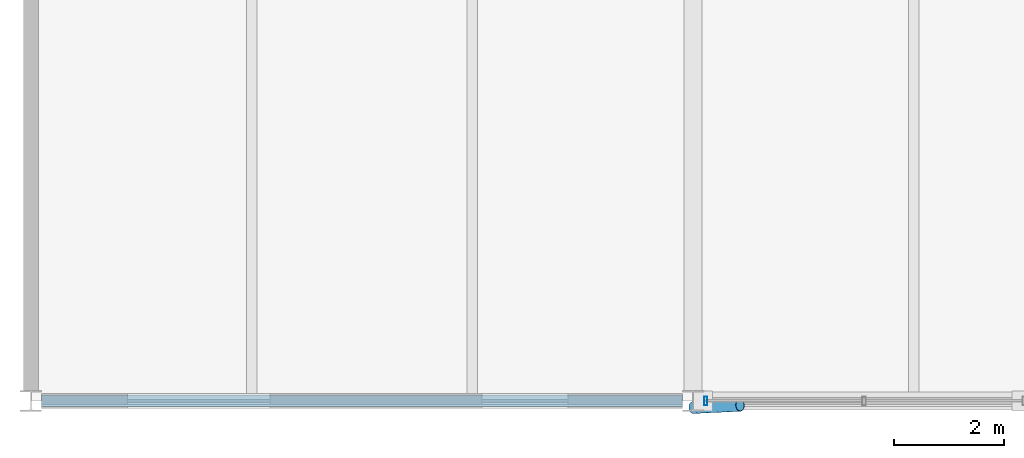
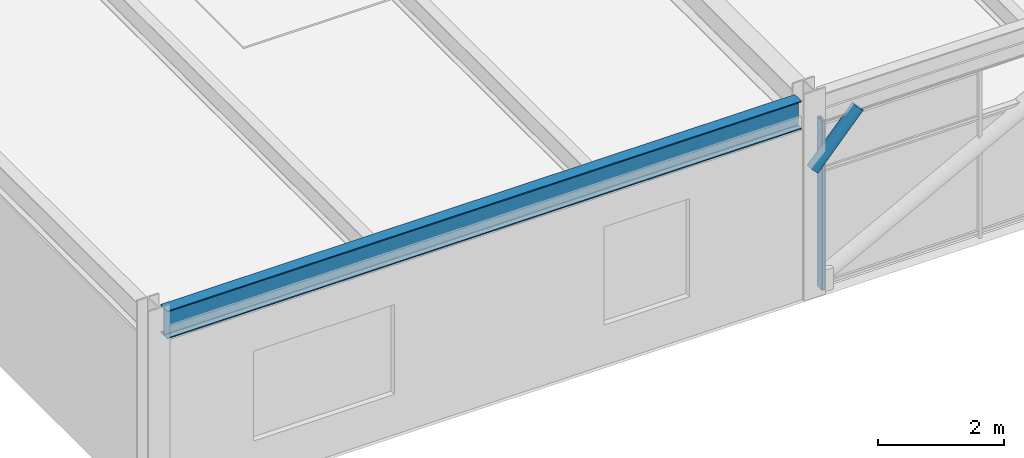
# One storey, part 7 of 51: 2 members, 1 beam, 1 element without a shape of its own.
"""IFC4 building model written with IfcOpenShell, lengths in metres."""

from ifc_helpers import new_model, si_unit, direction, frame, origin, origin_2d, place, context, subcontext, project, spatial, hollow_rectangle, hollow_circle, i_section, extrude, material, material_profile, profile_set, type_object, element, aggregate, save


model = new_model("IFC4")

# Units and contexts
model_context = context("Model", 3, precision=1e-05, world=origin(), true_north=direction((0.0, 1.0)))
body_context = subcontext(model_context, "Body", "Model", "MODEL_VIEW")
ifc_project = project(units=[si_unit("LENGTHUNIT", "METRE"), si_unit("AREAUNIT", "SQUARE_METRE"), si_unit("VOLUMEUNIT", "CUBIC_METRE"), si_unit("PLANEANGLEUNIT", "RADIAN"), si_unit("MASSUNIT", "GRAM", prefix="KILO")], contexts=[model_context])

# Site, building, storey
site_placement = place(None, origin())
site = spatial("IfcSite", under=ifc_project, at=site_placement, CompositionType="ELEMENT")
building_placement = place(site_placement, origin())
building = spatial("IfcBuilding", under=site, at=building_placement, Name="Girod Span Mobility Hub", CompositionType="ELEMENT")
storey_placement = place(building_placement, frame((0.0, 0.0, 41.60009765625)))
storey = spatial("IfcBuildingStorey", under=building, at=storey_placement, Name="L10", CompositionType="ELEMENT", Elevation=41.60009765625)

# Beam
ifc_material_1 = material(Name="Steel A992 Grade 50", Category="steel")
ifc_material_profile_1 = material_profile(ifc_material_1, i_section(OverallWidth=0.2119140625, OverallDepth=0.5439453125, WebThickness=0.01318359375, FlangeThickness=0.021240234375, FilletRadius=0.014892578125, at=origin_2d()), Name="W21X83")
ifc_profile_set_1 = profile_set([ifc_material_profile_1], Name="Steel A992 Grade 50")
beam_type = type_object("IfcBeamType", Name="BM-STL-W21X83", PredefinedType="SPANDREL", material=ifc_profile_set_1)
beam_placement = place(storey_placement, frame((24.194091796875, 27.0, 3.552978515625), z_axis=(1.0, 0.0, 0.0), x_axis=(0.0, 1.0, 0.0)))
element("IfcBeam", 1, at=beam_placement, inside=storey, type_object=beam_type, Name="Girder 3-4/C L10", PredefinedType="SPANDREL", context=body_context, shape_type="SweptSolid", body=[
    extrude(i_section(OverallWidth=0.2119140625, OverallDepth=0.5439453125, WebThickness=0.01318359375, FlangeThickness=0.021240234375, FilletRadius=0.014892578125, at=origin_2d()), origin(), (0.0, 0.0, 1.0), 11.61181640625),
])

# Curtain wall, member
ifc_material_2 = material(Name="Thermally Broken Anodised Aluminium", Category="aluminium")
curtain_wall_type = type_object("IfcCurtainWallType", Name="CW-1161X328", PredefinedType="USERDEFINED", material=ifc_material_2)
curtain_wall_placement = place(storey_placement, origin())
curtain_wall = element("IfcCurtainWall", 2, at=curtain_wall_placement, inside=storey, type_object=curtain_wall_type, Name="Unitised Curtain Wall CW-L10-S04 L10", ObjectType="UNITISED CURTAIN WALL", PredefinedType="USERDEFINED")
ifc_material_3 = material(Name="Thermally Broken Anodised Aluminium", Category="aluminium")
ifc_material_profile_2 = material_profile(ifc_material_3, hollow_rectangle(XDim=0.159912109375, YDim=0.06005859375, WallThickness=0.00341796875, InnerFilletRadius=0.00341796875, OuterFilletRadius=0.007080078125, at=origin_2d()), Name="CW-ML-60X160")
ifc_profile_set_2 = profile_set([ifc_material_profile_2], Name="Thermally Broken Anodised Aluminium")
member_type_1 = type_object("IfcMemberType", Name="CWM-ML-3", PredefinedType="MULLION", material=ifc_profile_set_2)
member_1_placement = place(storey_placement, frame((36.22705078125, 27.0, 0.0), z_axis=(0.0, 0.0, 1.0), x_axis=(0.0, 1.0, 0.0)))
member_1 = element("IfcMember", 3, at=member_1_placement, type_object=member_type_1, Name="Curtain Wall Mullion CW-L10-S04-M0", PredefinedType="MULLION", context=body_context, shape_type="SweptSolid", body=[
    extrude(hollow_rectangle(XDim=0.159912109375, YDim=0.06005859375, WallThickness=0.00341796875, InnerFilletRadius=0.00341796875, OuterFilletRadius=0.007080078125, at=origin_2d()), origin(), (0.0, 0.0, 1.0), 3.281005859375),
])
aggregate(curtain_wall, [member_1])

# Member
ifc_material_4 = material(Name="Steel HSS A500 Grade C", Category="steel")
ifc_material_profile_3 = material_profile(ifc_material_4, hollow_circle(Radius=0.109619140625, WallThickness=0.0087890625, at=origin_2d()), Name="HSS219X9.5")
ifc_profile_set_3 = profile_set([ifc_material_profile_3], Name="Steel HSS A500 Grade C")
member_type_2 = type_object("IfcMemberType", Name="MB-ST-HSS219", PredefinedType="STRUT", material=ifc_profile_set_3)
member_2_placement = place(storey_placement, frame((36.0, 26.8798828125, 2.449951171875), z_axis=(0.68831469116, 0.032419187062, 0.72468743762), x_axis=(-0.047047213483, 0.998892666758, 0.0)))
element("IfcMember", 4, at=member_2_placement, inside=storey, type_object=member_type_2, Name="Solar Shading Knee Strut 4 L10", PredefinedType="STRUT", context=body_context, shape_type="SweptSolid", body=[
    extrude(hollow_circle(Radius=0.109619140625, WallThickness=0.0087890625, at=origin_2d()), origin(), (0.0, 0.0, 1.0), 1.235107421875),
])

save(model, "model.ifc")
